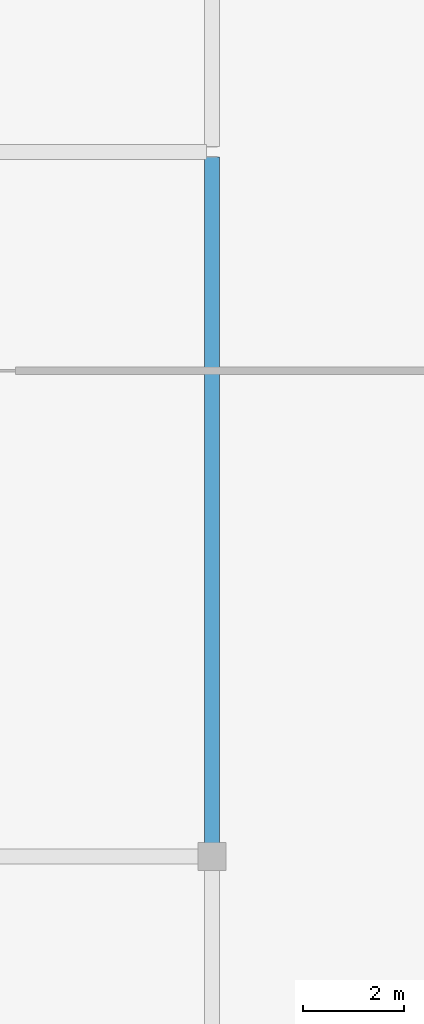
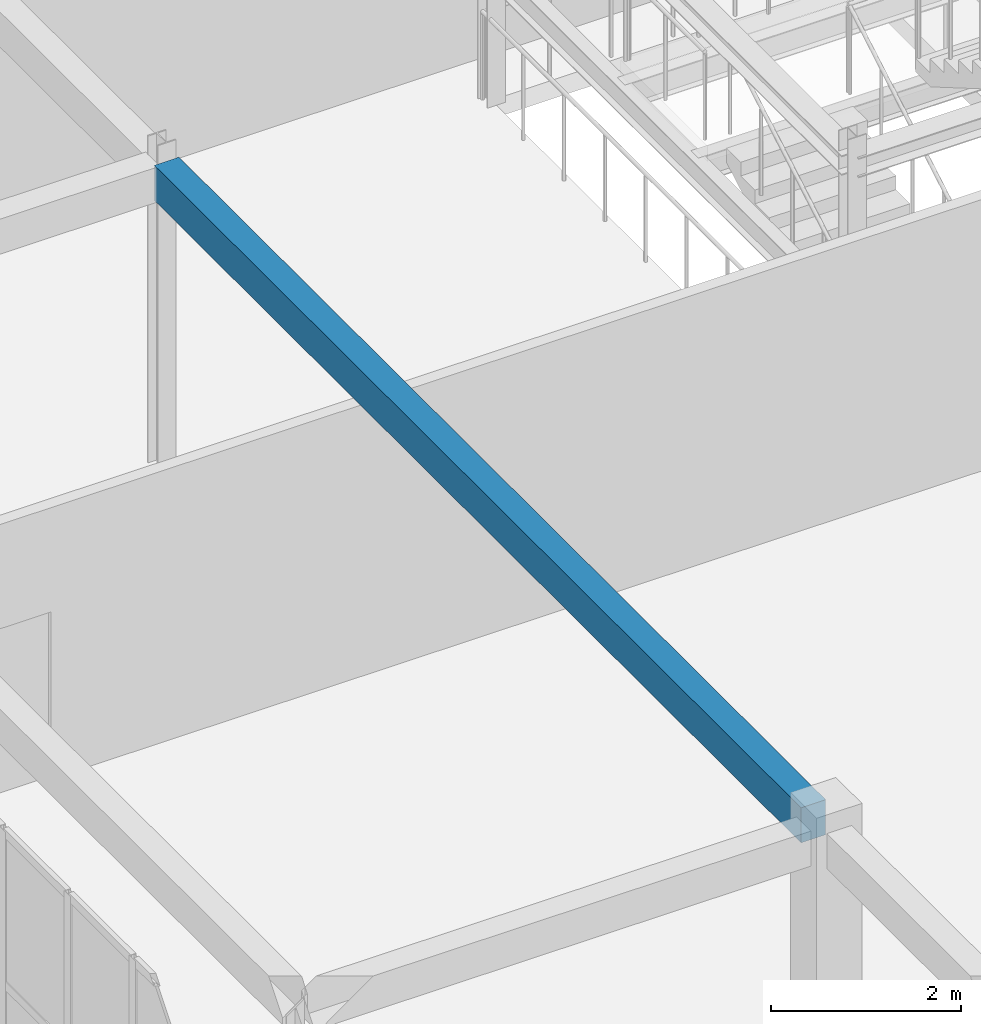
# One storey, part 22 of 140: 1 beam.
"""IFC4 building model written with IfcOpenShell, lengths in metres."""

from ifc_helpers import new_model, si_unit, direction, frame, origin, origin_2d, place, context, subcontext, project, spatial, rectangle, extrude, material, material_profile, profile_set, type_object, element, save


model = new_model("IFC4")

# Units and contexts
model_context = context("Model", 3, precision=1e-05, world=origin(), true_north=direction((0.0, 1.0)))
body_context = subcontext(model_context, "Body", "Model", "MODEL_VIEW")
ifc_project = project(units=[si_unit("LENGTHUNIT", "METRE"), si_unit("AREAUNIT", "SQUARE_METRE"), si_unit("VOLUMEUNIT", "CUBIC_METRE"), si_unit("PLANEANGLEUNIT", "RADIAN"), si_unit("MASSUNIT", "GRAM", prefix="KILO")], contexts=[model_context])

# Site, building, storey
site_placement = place(None, origin())
site = spatial("IfcSite", under=ifc_project, at=site_placement, CompositionType="ELEMENT")
building_placement = place(site_placement, origin())
building = spatial("IfcBuilding", under=site, at=building_placement, Name="Trelvath General Hospital", CompositionType="ELEMENT")
storey_placement = place(building_placement, frame((0.0, 0.0, 16.199951171875)))
storey = spatial("IfcBuildingStorey", under=building, at=storey_placement, Name="L04", CompositionType="ELEMENT", Elevation=16.199951171875)

# Beam
ifc_material = material(Name="Concrete C35/45", Category="concrete")
ifc_material_profile = material_profile(ifc_material, rectangle(XDim=0.300048828125, YDim=0.449951171875, at=origin_2d()), Name="RCB300x450")
ifc_profile_set = profile_set([ifc_material_profile], Name="Concrete C35/45")
beam_type = type_object("IfcBeamType", Name="Beam RC300x450", PredefinedType="BEAM", material=ifc_profile_set)
beam_placement = place(storey_placement, frame((60.800048828125, 45.071044921875, 3.735107421875), z_axis=(0.0, 1.0, 0.0), x_axis=(-1.0, 0.0, 0.0)))
element("IfcBeam", 1, at=beam_placement, inside=storey, type_object=beam_type, Name="Cube Interior Ring Beam CUBE-W-T1 L04", PredefinedType="BEAM", context=body_context, shape_type="SweptSolid", body=[
    extrude(rectangle(XDim=0.300048828125, YDim=0.449951171875, at=origin_2d()), origin(), (0.0, 0.0, 1.0), 13.623046875),
])

save(model, "model.ifc")
